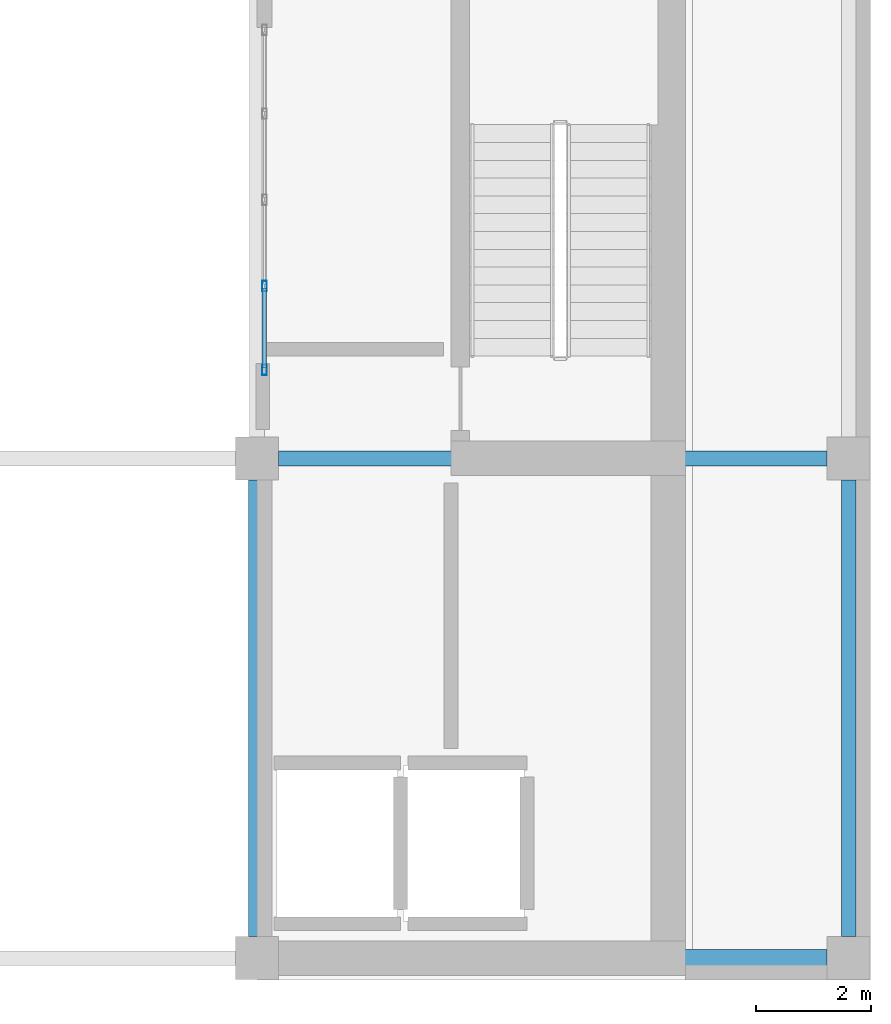
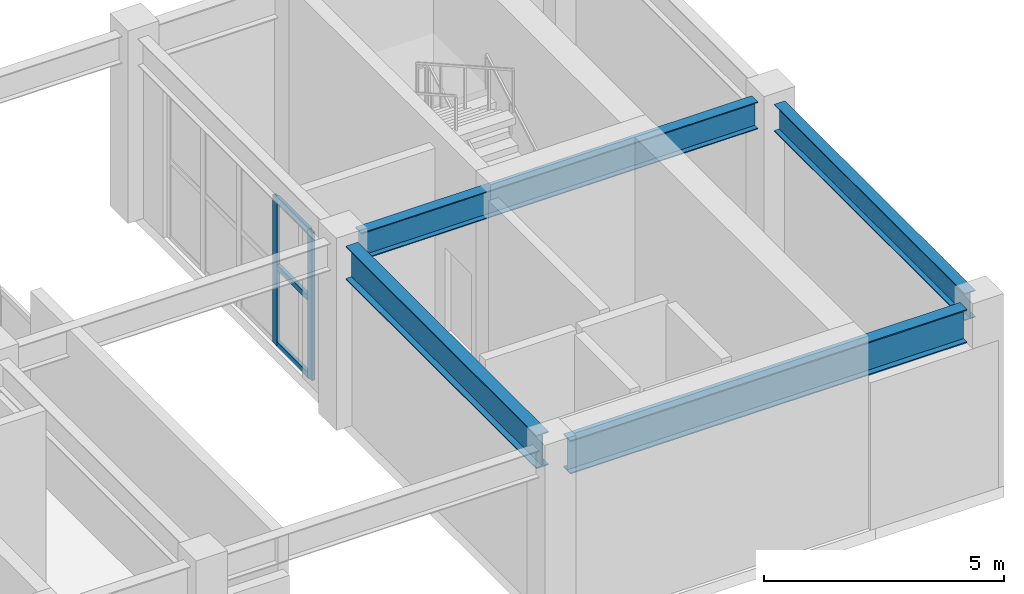
# One storey, part 5 of 11: 5 members, 4 beams, 1 element without a shape of its own.
"""IFC4 building model written with IfcOpenShell, lengths in metres."""

from ifc_helpers import new_model, si_unit, direction, frame, origin, origin_2d, place, context, subcontext, project, spatial, hollow_rectangle, i_section, extrude, material, layer, layer_set, material_profile, profile_set, type_object, element, aggregate, save


model = new_model("IFC4")

# Units and contexts
model_context = context("Model", 3, precision=1e-05, world=origin(), true_north=direction((0.0, 1.0)))
body_context = subcontext(model_context, "Body", "Model", "MODEL_VIEW")
ifc_project = project(units=[si_unit("LENGTHUNIT", "METRE"), si_unit("AREAUNIT", "SQUARE_METRE"), si_unit("VOLUMEUNIT", "CUBIC_METRE"), si_unit("PLANEANGLEUNIT", "RADIAN"), si_unit("MASSUNIT", "GRAM", prefix="KILO")], contexts=[model_context])

# Site, building, storey
site_placement = place(None, origin())
site = spatial("IfcSite", under=ifc_project, at=site_placement, CompositionType="ELEMENT")
building_placement = place(site_placement, origin())
building = spatial("IfcBuilding", under=site, at=building_placement, Name="Solanera Arch Residences", CompositionType="ELEMENT")
storey_placement = place(building_placement, frame((0.0, 0.0, 287.8798828125)))
storey = spatial("IfcBuildingStorey", under=building, at=storey_placement, Name="L82", CompositionType="ELEMENT", Elevation=287.8798828125)

# Curtain wall, members
ifc_material_1 = material(Name="Anodised Aluminium Alloy 6063-T6", Category="aluminium")
ifc_layer = layer(ifc_material_1, 0.179931640625)
ifc_layer_set = layer_set([ifc_layer], Name="Anodised Aluminium Alloy 6063-T6")
curtain_wall_type = type_object("IfcCurtainWallType", Name="CW-6 Split-Top Crown Lantern Curtain Wall", PredefinedType="USERDEFINED", material=ifc_layer_set)
curtain_wall_placement = place(storey_placement, origin())
curtain_wall = element("IfcCurtainWall", 1, at=curtain_wall_placement, inside=storey, type_object=curtain_wall_type, Name="L82 E Crown Cleft Lantern Curtain Wall", ObjectType="CURTAIN_WALL", PredefinedType="USERDEFINED")
ifc_material_2 = material(Name="Anodised Aluminium Alloy 6063-T6", Category="aluminium")
ifc_material_profile_1 = material_profile(ifc_material_2, hollow_rectangle(XDim=0.080078125, YDim=0.179931640625, WallThickness=0.00390625, at=origin_2d()))
ifc_profile_set_1 = profile_set([ifc_material_profile_1], Name="Anodised Aluminium Alloy 6063-T6")
member_type_1 = type_object("IfcMemberType", Name="Curtain Wall Mullion ALU-MUL-80X180", PredefinedType="MULLION", material=ifc_profile_set_1)
member_1_placement = place(storey_placement, frame((29.330078125, 32.239990234375, 0.0), z_axis=(0.0, 0.0, 1.0), x_axis=(-1.0, 0.0, 0.0)))
member_1 = element("IfcMember", 2, at=member_1_placement, type_object=member_type_1, Name="CW-6 mullion 1", PredefinedType="MULLION", context=body_context, shape_type="SweptSolid", body=[
    extrude(hollow_rectangle(XDim=0.080078125, YDim=0.179931640625, WallThickness=0.00390625, at=origin_2d()), origin(), (0.0, 0.0, 1.0), 3.760009765625),
])
member_2_placement = place(storey_placement, frame((29.330078125, 33.699951171875, 0.0), z_axis=(0.0, 0.0, 1.0), x_axis=(-1.0, 0.0, 0.0)))
member_2 = element("IfcMember", 3, at=member_2_placement, type_object=member_type_1, Name="CW-6 mullion 2", PredefinedType="MULLION", context=body_context, shape_type="SweptSolid", body=[
    extrude(hollow_rectangle(XDim=0.080078125, YDim=0.179931640625, WallThickness=0.00390625, at=origin_2d()), origin(), (0.0, 0.0, 1.0), 3.760009765625),
])
ifc_material_3 = material(Name="Anodised Aluminium Alloy 6063-T6", Category="aluminium")
ifc_material_profile_2 = material_profile(ifc_material_3, hollow_rectangle(XDim=0.080078125, YDim=0.139892578125, WallThickness=0.00390625, at=origin_2d()))
ifc_profile_set_2 = profile_set([ifc_material_profile_2], Name="Anodised Aluminium Alloy 6063-T6")
member_type_2 = type_object("IfcMemberType", Name="Curtain Wall Transom ALU-TRN-80X140", PredefinedType="USERDEFINED", material=ifc_profile_set_2)
member_3_placement = place(storey_placement, frame((29.330078125, 32.280029296875, 0.0400390625), z_axis=(0.0, 1.0, 0.0), x_axis=(-1.0, 0.0, 0.0)))
member_3 = element("IfcMember", 4, at=member_3_placement, type_object=member_type_2, Name="CW-6 transom 1.1", ObjectType="TRANSOM", PredefinedType="USERDEFINED", context=body_context, shape_type="SweptSolid", body=[
    extrude(hollow_rectangle(XDim=0.080078125, YDim=0.139892578125, WallThickness=0.00390625, at=origin_2d()), origin(), (0.0, 0.0, 1.0), 1.3798828125),
])
member_4_placement = place(storey_placement, frame((29.330078125, 32.280029296875, 2.0), z_axis=(0.0, 1.0, 0.0), x_axis=(-1.0, 0.0, 0.0)))
member_4 = element("IfcMember", 5, at=member_4_placement, type_object=member_type_2, Name="CW-6 transom 1.2", ObjectType="TRANSOM", PredefinedType="USERDEFINED", context=body_context, shape_type="SweptSolid", body=[
    extrude(hollow_rectangle(XDim=0.080078125, YDim=0.139892578125, WallThickness=0.00390625, at=origin_2d()), origin(), (0.0, 0.0, 1.0), 1.3798828125),
])
member_5_placement = place(storey_placement, frame((29.330078125, 32.280029296875, 3.72021484375), z_axis=(0.0, 1.0, 0.0), x_axis=(-1.0, 0.0, 0.0)))
member_5 = element("IfcMember", 6, at=member_5_placement, type_object=member_type_2, Name="CW-6 transom 1.3", ObjectType="TRANSOM", PredefinedType="USERDEFINED", context=body_context, shape_type="SweptSolid", body=[
    extrude(hollow_rectangle(XDim=0.080078125, YDim=0.139892578125, WallThickness=0.00390625, at=origin_2d()), origin(), (0.0, 0.0, 1.0), 1.3798828125),
])
aggregate(curtain_wall, [member_1, member_2, member_3, member_4, member_5])

# Beams
ifc_material_4 = material(Name="Steel S355 (ASTM A992 / A572 Grade 50)", Category="steel")
ifc_material_profile_3 = material_profile(ifc_material_4, i_section(OverallWidth=0.256103515625, OverallDepth=0.693115234375, WebThickness=0.014404296875, FlangeThickness=0.023681640625, at=origin_2d()))
ifc_profile_set_3 = profile_set([ifc_material_profile_3], Name="Steel S355 (ASTM A992 / A572 Grade 50)")
beam_type_1 = type_object("IfcBeamType", Name="Primary Beam W690X170", PredefinedType="BEAM", material=ifc_profile_set_3)
beam_1_placement = place(storey_placement, frame((29.574951171875, 30.699951171875, 4.274169921875), z_axis=(1.0, 0.0, 0.0), x_axis=(0.0, 1.0, 0.0)))
element("IfcBeam", 7, at=beam_1_placement, inside=storey, type_object=beam_type_1, Name="BM-L82-CR-EM", PredefinedType="BEAM", context=body_context, shape_type="SweptSolid", body=[
    extrude(i_section(OverallWidth=0.256103515625, OverallDepth=0.693115234375, WebThickness=0.014404296875, FlangeThickness=0.023681640625, at=origin_2d()), origin(), (0.0, 0.0, 1.0), 9.550048828125),
])
beam_2_placement = place(storey_placement, frame((39.5, 22.375, 4.274169921875), z_axis=(0.0, 1.0, 0.0), x_axis=(-1.0, 0.0, 0.0)))
element("IfcBeam", 8, at=beam_2_placement, inside=storey, type_object=beam_type_1, Name="BM-L82-CR-E3", PredefinedType="BEAM", context=body_context, shape_type="SweptSolid", body=[
    extrude(i_section(OverallWidth=0.256103515625, OverallDepth=0.693115234375, WebThickness=0.014404296875, FlangeThickness=0.023681640625, at=origin_2d()), origin(), (0.0, 0.0, 1.0), 7.949951171875),
])
ifc_material_5 = material(Name="Steel S355 (ASTM A992 / A572 Grade 50)", Category="steel")
ifc_material_profile_4 = material_profile(ifc_material_5, i_section(OverallWidth=0.2939453125, OverallDepth=0.85107421875, WebThickness=0.01611328125, FlangeThickness=0.02685546875, at=origin_2d()))
ifc_profile_set_4 = profile_set([ifc_material_profile_4], Name="Steel S355 (ASTM A992 / A572 Grade 50)")
beam_type_2 = type_object("IfcBeamType", Name="Primary Beam W840X226", PredefinedType="BEAM", material=ifc_profile_set_4)
beam_3_placement = place(storey_placement, frame((29.574951171875, 22.0, 4.195068359375), z_axis=(1.0, 0.0, 0.0), x_axis=(0.0, 1.0, 0.0)))
element("IfcBeam", 9, at=beam_3_placement, inside=storey, type_object=beam_type_2, Name="BM-L82-CR-ES", PredefinedType="BEAM", context=body_context, shape_type="SweptSolid", body=[
    extrude(i_section(OverallWidth=0.2939453125, OverallDepth=0.85107421875, WebThickness=0.01611328125, FlangeThickness=0.02685546875, at=origin_2d()), origin(), (0.0, 0.0, 1.0), 9.550048828125),
])
beam_4_placement = place(storey_placement, frame((29.199951171875, 22.375, 4.195068359375), z_axis=(0.0, 1.0, 0.0), x_axis=(-1.0, 0.0, 0.0)))
element("IfcBeam", 10, at=beam_4_placement, inside=storey, type_object=beam_type_2, Name="BM-L82-CR-E1", PredefinedType="BEAM", context=body_context, shape_type="SweptSolid", body=[
    extrude(i_section(OverallWidth=0.2939453125, OverallDepth=0.85107421875, WebThickness=0.01611328125, FlangeThickness=0.02685546875, at=origin_2d()), origin(), (0.0, 0.0, 1.0), 7.949951171875),
])

save(model, "model.ifc")
